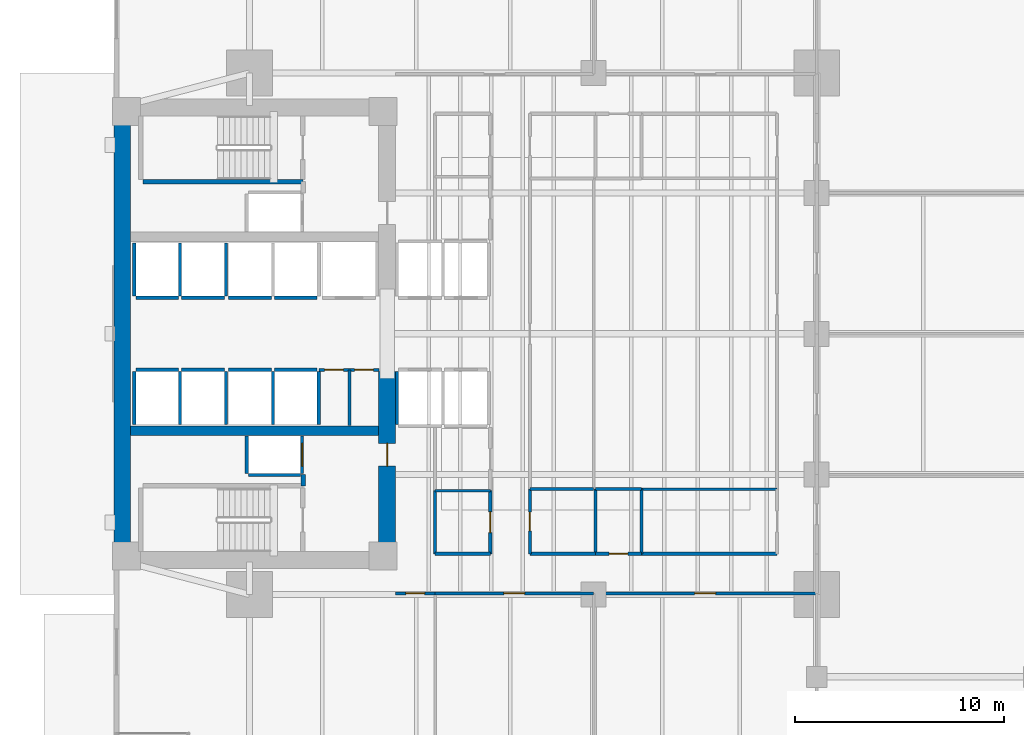
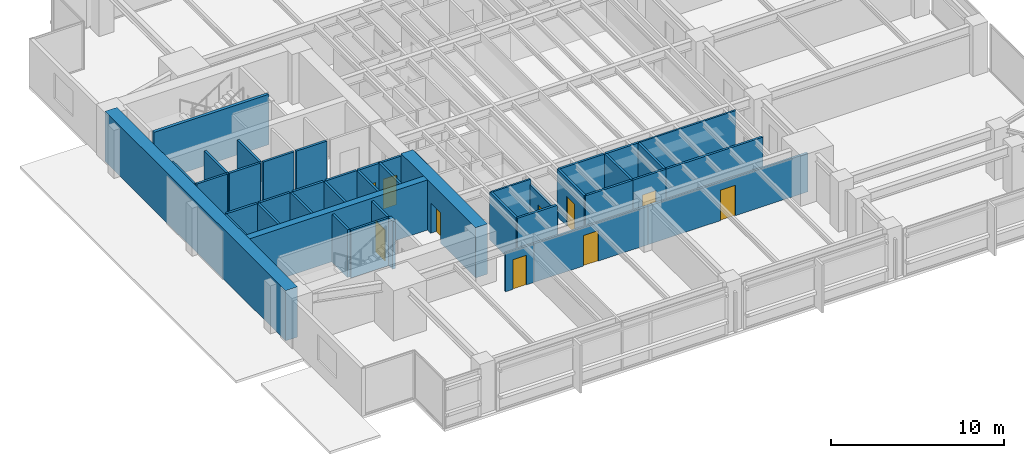
# One storey, part 9 of 16: 43 walls, 10 doors, 10 openings.
"""IFC4 building model written with IfcOpenShell, lengths in metres."""

import ifcopenshell
import ifcopenshell.guid

model = None  # the IFC model being written
_history = None  # IfcOwnerHistory: only IFC2X3 demands one
_inside = {}  # id of a spatial element -> (the spatial element, [elements in it])
_under = {}  # id of a project, library or spatial element -> (it, [spatial elements below it])
_declared = {}  # id of a project -> (the project, [libraries it declares])
_typed = {}  # id of a type object -> (the type object, [elements of that type])
_made_of = {}  # id of a material, layer set ... -> (it, [elements and type objects made of it])


def new_model(schema):
    """Start an empty IFC model of exactly this schema.

    Asked for "IFC4X3", IfcOpenShell would pick the latest addendum, in which some entities
    have other attributes; the version numbers below select the first issue.
    IFC2X3 requires an IfcOwnerHistory on every rooted entity: one is made here for all.
    """
    global model, _history
    if schema == "IFC4X3":
        model = ifcopenshell.file(schema_version=(4, 3, 0, 0))
    else:
        model = ifcopenshell.file(schema=schema)
    _inside.clear()
    _under.clear()
    _declared.clear()
    _typed.clear()
    _made_of.clear()
    _history = None
    if model.schema == "IFC2X3":
        org = make("IfcOrganization", Name="unknown")
        user = make(
            "IfcPersonAndOrganization",
            ThePerson=make("IfcPerson", FamilyName="unknown"),
            TheOrganization=org,
        )
        app = make(
            "IfcApplication",
            ApplicationDeveloper=org,
            Version="unknown",
            ApplicationFullName="unknown",
            ApplicationIdentifier="unknown",
        )
        _history = make(
            "IfcOwnerHistory",
            OwningUser=user,
            OwningApplication=app,
            ChangeAction="ADDED",
            CreationDate=0,
        )
    return model


def make(cls, **values):
    """One entity of the class cls with the attributes given. An attribute that is None is left unset."""
    return model.create_entity(
        cls, **{name: value for name, value in values.items() if value is not None}
    )


def rooted(cls, **values):
    """An entity with a GlobalId (a new one), such as an element, a storey or a relation."""
    return make(cls, GlobalId=ifcopenshell.guid.new(), OwnerHistory=_history, **values)


def si_unit(unit_type, name, prefix=None):
    """IfcSIUnit, for example si_unit("LENGTHUNIT", "METRE", prefix="MILLI")."""
    return make("IfcSIUnit", UnitType=unit_type, Prefix=prefix, Name=name)


def assignment(units):
    """IfcUnitAssignment: the units of a project."""
    return None if units is None else make("IfcUnitAssignment", Units=units)


def point(xyz):
    """IfcCartesianPoint."""
    return None if xyz is None else make("IfcCartesianPoint", Coordinates=xyz)


def direction(xyz):
    """IfcDirection."""
    return None if xyz is None else make("IfcDirection", DirectionRatios=xyz)


def frame(location, z_axis=None, x_axis=None):
    """IfcAxis2Placement3D, a coordinate frame: its origin and axes. An axis left out is left unset."""
    return make(
        "IfcAxis2Placement3D",
        Location=point(location),
        Axis=direction(z_axis),
        RefDirection=direction(x_axis),
    )


def frame_2d(location, x_axis=None):
    """IfcAxis2Placement2D, a coordinate frame in the plane: its origin and x axis."""
    return make(
        "IfcAxis2Placement2D", Location=point(location), RefDirection=direction(x_axis)
    )


def origin():
    """The frame at (0, 0, 0) with its axes left unset."""
    return frame((0.0, 0.0, 0.0))


def place(relative_to, where):
    """IfcLocalPlacement: puts the frame where relative to a parent placement (None: the world)."""
    return make(
        "IfcLocalPlacement", PlacementRelTo=relative_to, RelativePlacement=where
    )


def context(
    kind, dimensions, precision=None, world=None, true_north=None, identifier=None
):
    """IfcGeometricRepresentationContext, for example the 3D "Model" context."""
    return make(
        "IfcGeometricRepresentationContext",
        ContextIdentifier=identifier,
        ContextType=kind,
        CoordinateSpaceDimension=dimensions,
        Precision=precision,
        WorldCoordinateSystem=world,
        TrueNorth=true_north,
    )


def subcontext(parent, identifier, kind, view, scale=None):
    """IfcGeometricRepresentationSubContext, for example "Body" below "Model"."""
    return make(
        "IfcGeometricRepresentationSubContext",
        ContextIdentifier=identifier,
        ContextType=kind,
        ParentContext=parent,
        TargetScale=scale,
        TargetView=view,
    )


def project(units=None, contexts=None):
    """IfcProject with its units and contexts."""
    return rooted(
        "IfcProject",
        Name="project",
        RepresentationContexts=contexts,
        UnitsInContext=assignment(units),
    )


def spatial(cls, under=None, at=None, **own):
    """A site, building, storey or space (cls), placed at a placement, below another one or the project."""
    s = rooted(cls, ObjectPlacement=at, **own)
    if under is not None:
        _under.setdefault(under.id(), (under, []))[1].append(s)
    return s


def profile(cls, at=None, kind="AREA", **sizes):
    """A parametric profile (cls). Its sizes go by their IFC names, for example OverallWidth=200.0."""
    return make(cls, ProfileType=kind, Position=at, **sizes)


def rectangle(**sizes):
    """IfcRectangleProfileDef."""
    return profile("IfcRectangleProfileDef", **sizes)


def extrude(swept, where, along, depth):
    """IfcExtrudedAreaSolid: the profile swept, set in the frame where, extruded along a direction by depth."""
    return make(
        "IfcExtrudedAreaSolid",
        SweptArea=swept,
        Position=where,
        ExtrudedDirection=direction(along),
        Depth=depth,
    )


def shape(context_of_items, identifier, shape_type, items):
    """IfcShapeRepresentation: the items that make up one representation, for example the "Body"."""
    return make(
        "IfcShapeRepresentation",
        ContextOfItems=context_of_items,
        RepresentationIdentifier=identifier,
        RepresentationType=shape_type,
        Items=items,
    )


def material(Name=None, Category=None):
    """IfcMaterial."""
    return make("IfcMaterial", Name=Name, Category=Category)


def layer(
    of_material, thickness, ventilated=None, Name=None, Category=None, Priority=None
):
    """IfcMaterialLayer: one layer of a wall or slab, of a material (None: an air gap)."""
    return make(
        "IfcMaterialLayer",
        Material=of_material,
        LayerThickness=thickness,
        IsVentilated=ventilated,
        Name=Name,
        Category=Category,
        Priority=Priority,
    )


def layer_set(layers, Name=None):
    """IfcMaterialLayerSet."""
    return make("IfcMaterialLayerSet", MaterialLayers=layers, LayerSetName=Name)


def made_of(thing, what):
    """Note that an element or type object is made of a material, layer set ...; save() writes the relation."""
    if what is not None:
        _made_of.setdefault(what.id(), (what, []))[1].append(thing)
    return thing


def type_object(cls, material=None, **own):
    """A type object (cls), such as IfcWallType, which elements share."""
    return made_of(rooted(cls, **own), material)


def element(
    cls,
    number,
    at=None,
    inside=None,
    cuts=None,
    type_object=None,
    material=None,
    context=None,
    identifier="Body",
    shape_type=None,
    held_by="IfcProductDefinitionShape",
    body=None,
    shapes=None,
    **own,
):
    """One element of the class cls, such as IfcWall. Its Tag is "e" and its number.

    at: its placement. inside: the storey or other place that contains it. cuts: it is an
    opening in that element (IfcRelVoidsElement). A single representation is given by context,
    identifier, shape_type and body (its items); several are given by shapes. held_by: the class
    of the entity that holds the representations. save() writes the other relations.
    """
    e = rooted(cls, Tag="e%d" % number, ObjectPlacement=at, **own)
    if body is not None:
        shapes = [shape(context, identifier, shape_type, body)]
    if shapes is not None:
        e.Representation = make(held_by, Representations=shapes)
    if inside is not None:
        _inside.setdefault(inside.id(), (inside, []))[1].append(e)
    if cuts is not None:
        rooted(
            "IfcRelVoidsElement", RelatingBuildingElement=cuts, RelatedOpeningElement=e
        )
    if type_object is not None:
        _typed.setdefault(type_object.id(), (type_object, []))[1].append(e)
    return made_of(e, material)


def fill(opening, filler):
    """IfcRelFillsElement: the door or window that sits in an opening."""
    return rooted(
        "IfcRelFillsElement",
        RelatingOpeningElement=opening,
        RelatedBuildingElement=filler,
    )


def aggregate(whole, parts):
    """IfcRelAggregates: a whole, such as a stair, and the parts it consists of."""
    return rooted("IfcRelAggregates", RelatingObject=whole, RelatedObjects=parts)


def save(model, path):
    """Write the relations noted so far, then the file.

    IfcRelAggregates (storeys below a building ...), IfcRelContainedInSpatialStructure (elements
    in a storey), IfcRelDefinesByType, IfcRelAssociatesMaterial and IfcRelDeclares: one each for
    every whole, place, type object, material and project.
    """
    for whole, parts in _under.values():
        aggregate(whole, parts)
    for where, things in _inside.values():
        rooted(
            "IfcRelContainedInSpatialStructure",
            RelatedElements=things,
            RelatingStructure=where,
        )
    for kind, things in _typed.values():
        rooted("IfcRelDefinesByType", RelatedObjects=things, RelatingType=kind)
    for what, things in _made_of.values():
        rooted("IfcRelAssociatesMaterial", RelatedObjects=things, RelatingMaterial=what)
    for by, libraries in _declared.values():
        rooted("IfcRelDeclares", RelatingContext=by, RelatedDefinitions=libraries)
    model.write(path)


model = new_model("IFC4")

# Units and contexts
model_context = context("Model", 3, precision=1e-05, world=origin(), true_north=direction((0.0, 1.0)))
body_context = subcontext(model_context, "Body", "Model", "MODEL_VIEW")
ifc_project = project(units=[si_unit("LENGTHUNIT", "METRE"), si_unit("AREAUNIT", "SQUARE_METRE"), si_unit("VOLUMEUNIT", "CUBIC_METRE"), si_unit("PLANEANGLEUNIT", "RADIAN"), si_unit("MASSUNIT", "GRAM", prefix="KILO")], contexts=[model_context])

# Site, building, storey
site_placement = place(None, origin())
site = spatial("IfcSite", under=ifc_project, at=site_placement, CompositionType="ELEMENT")
building_placement = place(site_placement, origin())
building = spatial("IfcBuilding", under=site, at=building_placement, Name="Kinhvarn Gate Tower", CompositionType="ELEMENT")
storey_placement = place(building_placement, frame((0.0, 0.0, 25.60009765625)))
storey = spatial("IfcBuildingStorey", under=building, at=storey_placement, Name="L05", CompositionType="ELEMENT", Elevation=25.60009765625)

# Wall
ifc_material_1 = material(Name="Concrete C50/60", Category="concrete")
ifc_layer_1 = layer(ifc_material_1, 0.449951171875)
ifc_layer_set_1 = layer_set([ifc_layer_1], Name="Concrete C50/60")
wall_type_1 = type_object("IfcWallType", Name="WL-CORE-450", PredefinedType="SHEAR", material=ifc_layer_set_1)
wall_1_placement = place(storey_placement, frame((5.300048828125, 20.60009765625, 0.0), z_axis=(0.0, 0.0, 1.0), x_axis=(1.0, 0.0, 0.0)))
element("IfcWall", 1, at=wall_1_placement, inside=storey, type_object=wall_type_1, Name="Core South Spine Shear Wall L05 450 mm", PredefinedType="SHEAR", context=body_context, shape_type="SweptSolid", body=[
    extrude(rectangle(XDim=11.89990234375, YDim=0.449951171875, at=frame_2d((5.949951171875, 0.0))), origin(), (0.0, 0.0, 1.0), 3.5498046875),
])

# Wall, opening, door
ifc_material_2 = material(Name="Concrete C70/85", Category="concrete")
ifc_layer_2 = layer(ifc_material_2, 0.800048828125)
ifc_layer_set_2 = layer_set([ifc_layer_2], Name="Concrete C70/85")
wall_type_2 = type_object("IfcWallType", Name="WL-CORE-800", PredefinedType="SHEAR", material=ifc_layer_set_2)
wall_2_placement = place(storey_placement, frame((17.60009765625, 14.800048828125, 0.0), z_axis=(0.0, 0.0, 1.0), x_axis=(0.0, 1.0, 0.0)))
wall_2 = element("IfcWall", 2, at=wall_2_placement, inside=storey, type_object=wall_type_2, Name="Core East-South Shear Pier L05 800 mm", PredefinedType="SHEAR", context=body_context, shape_type="SweptSolid", body=[
    extrude(rectangle(XDim=8.64990234375, YDim=0.800048828125, at=frame_2d((4.324951171875, 0.0))), origin(), (0.0, 0.0, 1.0), 3.5498046875),
])
opening_1_placement = place(wall_2_placement, frame((4.10009765625, 0.0, 0.0)))
opening_1 = element("IfcOpeningElement", 3, at=opening_1_placement, cuts=wall_2, Name="Opening FD-02", PredefinedType="OPENING", context=body_context, shape_type="SweptSolid", body=[
    extrude(rectangle(XDim=1.10009765625, YDim=2.14990234375, at=frame_2d((0.550048828125, 1.074951171875))), frame((0.0, 0.41015625, 0.0), z_axis=(0.0, -1.0, 0.0), x_axis=(1.0, 0.0, 0.0)), (0.0, 0.0, 1.0), 0.820068359375),
])
ifc_material_3 = material(Name="Anodised aluminium AW-6063", Category="aluminium")
door_type_1 = type_object("IfcDoorType", Name="DR-FD-1100", OperationType="NOTDEFINED", PredefinedType="DOOR", material=ifc_material_3)
door_1_placement = place(opening_1_placement, origin())
door_1 = element("IfcDoor", 4, at=door_1_placement, inside=storey, type_object=door_type_1, Name="Firefighting Lobby Core Door (L05)", OperationType="SINGLE_SWING_RIGHT", OverallHeight=2.14990234375, OverallWidth=1.10009765625, PredefinedType="DOOR", context=body_context, shape_type="SweptSolid", body=[
    extrude(rectangle(XDim=1.10009765625, YDim=2.14990234375, at=frame_2d((0.550048828125, 1.074951171875))), frame((0.0, 0.02490234375, 0.0), z_axis=(0.0, -1.0, 0.0), x_axis=(1.0, 0.0, 0.0)), (0.0, 0.0, 1.0), 0.050048828125),
])
fill(opening_1, door_1)

# Walls
ifc_layer_3 = layer(ifc_material_2, 0.800048828125)
ifc_layer_set_3 = layer_set([ifc_layer_3], Name="Concrete C70/85")
wall_type_3 = type_object("IfcWallType", Name="WL-COREX-800", PredefinedType="SHEAR", material=ifc_layer_set_3)
wall_3_placement = place(storey_placement, frame((4.89990234375, 14.800048828125, 0.0), z_axis=(0.0, 0.0, 1.0), x_axis=(0.0, 1.0, 0.0)))
element("IfcWall", 5, at=wall_3_placement, inside=storey, type_object=wall_type_3, Name="Core West Shear Wall L05 800 mm", PredefinedType="SHEAR", context=body_context, shape_type="SweptSolid", body=[
    extrude(rectangle(XDim=20.89990234375, YDim=0.800048828125, at=frame_2d((10.449951171875, 0.0))), origin(), (0.0, 0.0, 1.0), 3.5498046875),
])
ifc_material_4 = material(Name="Gypsum acoustic partition board")
ifc_layer_4 = layer(ifc_material_4, 0.14990234375)
ifc_layer_set_4 = layer_set([ifc_layer_4], Name="Gypsum acoustic partition board")
wall_type_4 = type_object("IfcWallType", Name="WL-PLM-150", PredefinedType="PLUMBINGWALL", material=ifc_layer_set_4)
wall_4_placement = place(storey_placement, frame((27.60009765625, 14.699951171875, 0.0), z_axis=(0.0, 0.0, 1.0), x_axis=(0.0, 1.0, 0.0)))
element("IfcWall", 6, at=wall_4_placement, inside=storey, type_object=wall_type_4, Name="Interior Partition PLW-150 (L05)", PredefinedType="PLUMBINGWALL", context=body_context, shape_type="SweptSolid", body=[
    extrude(rectangle(XDim=3.10009765625, YDim=0.14990234375, at=frame_2d((1.550048828125, 0.0))), origin(), (0.0, 0.0, 1.0), 3.369873046875),
])
wall_5_placement = place(storey_placement, frame((24.449951171875, 17.800048828125, 0.0), z_axis=(0.0, 0.0, 1.0), x_axis=(1.0, 0.0, 0.0)))
element("IfcWall", 7, at=wall_5_placement, inside=storey, type_object=wall_type_4, Name="Interior Partition PLW-150 (L05)", PredefinedType="PLUMBINGWALL", context=body_context, shape_type="SweptSolid", body=[
    extrude(rectangle(XDim=3.050048828125, YDim=0.14990234375, at=frame_2d((1.52490234375, 0.0))), origin(), (0.0, 0.0, 1.0), 3.369873046875),
])
wall_6_placement = place(storey_placement, frame((29.800048828125, 14.699951171875, 0.0), z_axis=(0.0, 0.0, 1.0), x_axis=(0.0, 1.0, 0.0)))
element("IfcWall", 8, at=wall_6_placement, inside=storey, type_object=wall_type_4, Name="Interior Partition PLW-150 (L05)", PredefinedType="PLUMBINGWALL", context=body_context, shape_type="SweptSolid", body=[
    extrude(rectangle(XDim=3.10009765625, YDim=0.14990234375, at=frame_2d((1.550048828125, 0.0))), origin(), (0.0, 0.0, 1.0), 3.369873046875),
])
wall_7_placement = place(storey_placement, frame((27.60009765625, 17.800048828125, 0.0), z_axis=(0.0, 0.0, 1.0), x_axis=(1.0, 0.0, 0.0)))
element("IfcWall", 9, at=wall_7_placement, inside=storey, type_object=wall_type_4, Name="Interior Partition PLW-150 (L05)", PredefinedType="PLUMBINGWALL", context=body_context, shape_type="SweptSolid", body=[
    extrude(rectangle(XDim=2.199951171875, YDim=0.14990234375, at=frame_2d((1.10009765625, 0.0))), origin(), (0.0, 0.0, 1.0), 3.369873046875),
])

# Wall, opening, door
ifc_layer_5 = layer(ifc_material_4, 0.14990234375)
ifc_layer_set_5 = layer_set([ifc_layer_5], Name="Gypsum acoustic partition board")
wall_type_5 = type_object("IfcWallType", Name="WL-PLM-150F", PredefinedType="PLUMBINGWALL", material=ifc_layer_set_5)
wall_8_placement = place(storey_placement, frame((24.449951171875, 14.699951171875, 0.0), z_axis=(0.0, 0.0, 1.0), x_axis=(0.0, 1.0, 0.0)))
wall_8 = element("IfcWall", 10, at=wall_8_placement, inside=storey, type_object=wall_type_5, Name="Interior Partition PLW-150F (L05)", PredefinedType="PLUMBINGWALL", context=body_context, shape_type="SweptSolid", body=[
    extrude(rectangle(XDim=3.10009765625, YDim=0.14990234375, at=frame_2d((1.550048828125, 0.0))), origin(), (0.0, 0.0, 1.0), 3.369873046875),
])
opening_2_placement = place(wall_8_placement, frame((1.10009765625, 0.0, 0.0)))
opening_2 = element("IfcOpeningElement", 11, at=opening_2_placement, cuts=wall_8, Name="Opening FD-04", PredefinedType="OPENING", context=body_context, shape_type="SweptSolid", body=[
    extrude(rectangle(XDim=0.89990234375, YDim=2.10009765625, at=frame_2d((0.449951171875, 1.050048828125))), frame((0.0, 0.0849609375, 0.0), z_axis=(0.0, -1.0, 0.0), x_axis=(1.0, 0.0, 0.0)), (0.0, 0.0, 1.0), 0.169921875),
])
door_type_2 = type_object("IfcDoorType", Name="DR-FD-900", OperationType="NOTDEFINED", PredefinedType="DOOR", material=ifc_material_3)
door_2_placement = place(opening_2_placement, origin())
door_2 = element("IfcDoor", 12, at=door_2_placement, inside=storey, type_object=door_type_2, Name="Rated Riser & Service Closet Fire Door 900x2100 mm (L05)", OperationType="SINGLE_SWING_LEFT", OverallHeight=2.10009765625, OverallWidth=0.89990234375, PredefinedType="DOOR", context=body_context, shape_type="SweptSolid", body=[
    extrude(rectangle(XDim=0.89990234375, YDim=2.10009765625, at=frame_2d((0.449951171875, 1.050048828125))), frame((0.0, 0.02490234375, 0.0), z_axis=(0.0, -1.0, 0.0), x_axis=(1.0, 0.0, 0.0)), (0.0, 0.0, 1.0), 0.050048828125),
])
fill(opening_2, door_2)

# Wall
wall_9_placement = place(storey_placement, frame((24.449951171875, 14.699951171875, 0.0), z_axis=(0.0, 0.0, 1.0), x_axis=(1.0, 0.0, 0.0)))
element("IfcWall", 13, at=wall_9_placement, inside=storey, type_object=wall_type_5, Name="Interior Partition PLW-150F (L05)", PredefinedType="PLUMBINGWALL", context=body_context, shape_type="SweptSolid", body=[
    extrude(rectangle(XDim=3.150146484375, YDim=0.14990234375, at=frame_2d((1.5751953125, 0.0))), origin(), (0.0, 0.0, 1.0), 3.369873046875),
])

# Wall, opening, door
wall_10_placement = place(storey_placement, frame((27.60009765625, 14.699951171875, 0.0), z_axis=(0.0, 0.0, 1.0), x_axis=(1.0, 0.0, 0.0)))
wall_10 = element("IfcWall", 14, at=wall_10_placement, inside=storey, type_object=wall_type_5, Name="Interior Partition PLW-150F (L05)", PredefinedType="PLUMBINGWALL", context=body_context, shape_type="SweptSolid", body=[
    extrude(rectangle(XDim=2.199951171875, YDim=0.14990234375, at=frame_2d((1.10009765625, 0.0))), origin(), (0.0, 0.0, 1.0), 3.369873046875),
])
opening_3_placement = place(wall_10_placement, frame((0.64990234375, 0.0, 0.0)))
opening_3 = element("IfcOpeningElement", 15, at=opening_3_placement, cuts=wall_10, Name="Opening FD-04", PredefinedType="OPENING", context=body_context, shape_type="SweptSolid", body=[
    extrude(rectangle(XDim=0.89990234375, YDim=2.10009765625, at=frame_2d((0.449951171875, 1.050048828125))), frame((0.0, 0.0849609375, 0.0), z_axis=(0.0, -1.0, 0.0), x_axis=(1.0, 0.0, 0.0)), (0.0, 0.0, 1.0), 0.169921875),
])
door_3_placement = place(opening_3_placement, origin())
door_3 = element("IfcDoor", 16, at=door_3_placement, inside=storey, type_object=door_type_2, Name="Rated Riser & Service Closet Fire Door 900x2100 mm (L05)", OperationType="SINGLE_SWING_RIGHT", OverallHeight=2.10009765625, OverallWidth=0.89990234375, PredefinedType="DOOR", context=body_context, shape_type="SweptSolid", body=[
    extrude(rectangle(XDim=0.89990234375, YDim=2.10009765625, at=frame_2d((0.449951171875, 1.050048828125))), frame((0.0, 0.02490234375, 0.0), z_axis=(0.0, -1.0, 0.0), x_axis=(1.0, 0.0, 0.0)), (0.0, 0.0, 1.0), 0.050048828125),
])
fill(opening_3, door_3)

# Walls
ifc_layer_6 = layer(ifc_material_4, 0.1201171875)
ifc_layer_set_6 = layer_set([ifc_layer_6], Name="Gypsum acoustic partition board")
wall_type_6 = type_object("IfcWallType", Name="WL-PRT-120", PredefinedType="PARTITIONING", material=ifc_layer_set_6)
wall_11_placement = place(storey_placement, frame((19.89990234375, 17.72998046875, 0.0), z_axis=(0.0, 0.0, 1.0), x_axis=(1.0, 0.0, 0.0)))
element("IfcWall", 17, at=wall_11_placement, inside=storey, type_object=wall_type_6, Name="Interior Partition PW-120 (L05)", PredefinedType="PARTITIONING", context=body_context, shape_type="SweptSolid", body=[
    extrude(rectangle(XDim=2.650146484375, YDim=0.1201171875, at=frame_2d((1.3251953125, 0.0))), origin(), (0.0, 0.0, 1.0), 3.369873046875),
])
wall_12_placement = place(storey_placement, frame((29.800048828125, 17.800048828125, 0.0), z_axis=(0.0, 0.0, 1.0), x_axis=(1.0, 0.0, 0.0)))
element("IfcWall", 18, at=wall_12_placement, inside=storey, type_object=wall_type_6, Name="Interior Partition PW-120 (L05)", PredefinedType="PARTITIONING", context=body_context, shape_type="SweptSolid", body=[
    extrude(rectangle(XDim=6.5, YDim=0.1201171875, at=frame_2d((3.25, 0.0))), origin(), (0.0, 0.0, 1.0), 3.369873046875),
])
ifc_layer_7 = layer(ifc_material_4, 0.14990234375)
ifc_layer_set_7 = layer_set([ifc_layer_7], Name="Gypsum acoustic partition board")
wall_type_7 = type_object("IfcWallType", Name="WL-PRT-150F", PredefinedType="PARTITIONING", material=ifc_layer_set_7)
wall_13_placement = place(storey_placement, frame((15.800048828125, 20.85009765625, 0.0), z_axis=(0.0, 0.0, 1.0), x_axis=(0.0, 1.0, 0.0)))
element("IfcWall", 19, at=wall_13_placement, inside=storey, type_object=wall_type_7, Name="Interior Partition PW-150F (L05)", PredefinedType="PARTITIONING", context=body_context, shape_type="SweptSolid", body=[
    extrude(rectangle(XDim=2.669921875, YDim=0.14990234375, at=frame_2d((1.3349609375, 0.0))), origin(), (0.0, 0.0, 1.0), 3.369873046875),
])

# Wall, openings, doors
wall_14_placement = place(storey_placement, frame((14.330078125, 23.52001953125, 0.0), z_axis=(0.0, 0.0, 1.0), x_axis=(1.0, 0.0, 0.0)))
wall_14 = element("IfcWall", 20, at=wall_14_placement, inside=storey, type_object=wall_type_7, Name="Interior Partition PW-150F (L05)", PredefinedType="PARTITIONING", context=body_context, shape_type="SweptSolid", body=[
    extrude(rectangle(XDim=2.889892578125, YDim=0.14990234375, at=frame_2d((1.44482421875, 0.0))), origin(), (0.0, 0.0, 1.0), 3.369873046875),
])
opening_4_placement = place(wall_14_placement, frame((0.280029296875, 0.0, 0.0)))
opening_4 = element("IfcOpeningElement", 21, at=opening_4_placement, cuts=wall_14, Name="Opening FD-04", PredefinedType="OPENING", context=body_context, shape_type="SweptSolid", body=[
    extrude(rectangle(XDim=0.89990234375, YDim=2.10009765625, at=frame_2d((0.449951171875, 1.050048828125))), frame((0.0, 0.0849609375, 0.0), z_axis=(0.0, -1.0, 0.0), x_axis=(1.0, 0.0, 0.0)), (0.0, 0.0, 1.0), 0.169921875),
])
opening_5_placement = place(wall_14_placement, frame((1.7099609375, 0.0, 0.0)))
opening_5 = element("IfcOpeningElement", 22, at=opening_5_placement, cuts=wall_14, Name="Opening FD-04", PredefinedType="OPENING", context=body_context, shape_type="SweptSolid", body=[
    extrude(rectangle(XDim=0.89990234375, YDim=2.10009765625, at=frame_2d((0.449951171875, 1.050048828125))), frame((0.0, 0.0849609375, 0.0), z_axis=(0.0, -1.0, 0.0), x_axis=(1.0, 0.0, 0.0)), (0.0, 0.0, 1.0), 0.169921875),
])
door_4_placement = place(opening_4_placement, origin())
door_4 = element("IfcDoor", 23, at=door_4_placement, inside=storey, type_object=door_type_2, Name="Rated Riser & Service Closet Fire Door 900x2100 mm (L05)", OperationType="SINGLE_SWING_LEFT", OverallHeight=2.10009765625, OverallWidth=0.89990234375, PredefinedType="DOOR", context=body_context, shape_type="SweptSolid", body=[
    extrude(rectangle(XDim=0.89990234375, YDim=2.10009765625, at=frame_2d((0.449951171875, 1.050048828125))), frame((0.0, 0.02490234375, 0.0), z_axis=(0.0, -1.0, 0.0), x_axis=(1.0, 0.0, 0.0)), (0.0, 0.0, 1.0), 0.050048828125),
])
fill(opening_4, door_4)
door_5_placement = place(opening_5_placement, origin())
door_5 = element("IfcDoor", 24, at=door_5_placement, inside=storey, type_object=door_type_2, Name="Rated Riser & Service Closet Fire Door 900x2100 mm (L05)", OperationType="SINGLE_SWING_RIGHT", OverallHeight=2.10009765625, OverallWidth=0.89990234375, PredefinedType="DOOR", context=body_context, shape_type="SweptSolid", body=[
    extrude(rectangle(XDim=0.89990234375, YDim=2.10009765625, at=frame_2d((0.449951171875, 1.050048828125))), frame((0.0, 0.02490234375, 0.0), z_axis=(0.0, -1.0, 0.0), x_axis=(1.0, 0.0, 0.0)), (0.0, 0.0, 1.0), 0.050048828125),
])
fill(opening_5, door_5)

# Wall, opening, door
wall_15_placement = place(storey_placement, frame((22.550048828125, 14.699951171875, 0.0), z_axis=(0.0, 0.0, 1.0), x_axis=(0.0, 1.0, 0.0)))
wall_15 = element("IfcWall", 25, at=wall_15_placement, inside=storey, type_object=wall_type_7, Name="Interior Partition PW-150F (L05)", PredefinedType="PARTITIONING", context=body_context, shape_type="SweptSolid", body=[
    extrude(rectangle(XDim=3.030029296875, YDim=0.14990234375, at=frame_2d((1.51513671875, 0.0))), origin(), (0.0, 0.0, 1.0), 3.010009765625),
])
opening_6_placement = place(wall_15_placement, frame((1.014892578125, 0.0, 0.0)))
opening_6 = element("IfcOpeningElement", 26, at=opening_6_placement, cuts=wall_15, Name="Opening ID-02", PredefinedType="OPENING", context=body_context, shape_type="SweptSolid", body=[
    extrude(rectangle(XDim=1.0, YDim=2.14990234375, at=frame_2d((0.5, 1.074951171875))), frame((0.0, 0.0849609375, 0.0), z_axis=(0.0, -1.0, 0.0), x_axis=(1.0, 0.0, 0.0)), (0.0, 0.0, 1.0), 0.169921875),
])
door_type_3 = type_object("IfcDoorType", Name="DR-INT-1000", OperationType="NOTDEFINED", PredefinedType="DOOR", material=ifc_material_3)
door_6_placement = place(opening_6_placement, origin())
door_6 = element("IfcDoor", 27, at=door_6_placement, inside=storey, type_object=door_type_3, Name="Standard Office & Meeting Room Door 1000x2150 mm (L05)", OperationType="SINGLE_SWING_LEFT", OverallHeight=2.14990234375, OverallWidth=1.0, PredefinedType="DOOR", context=body_context, shape_type="SweptSolid", body=[
    extrude(rectangle(XDim=1.0, YDim=2.14990234375, at=frame_2d((0.5, 1.074951171875))), frame((0.0, 0.02490234375, 0.0), z_axis=(0.0, -1.0, 0.0), x_axis=(1.0, 0.0, 0.0)), (0.0, 0.0, 1.0), 0.050048828125),
])
fill(opening_6, door_6)

# Walls
wall_16_placement = place(storey_placement, frame((19.89990234375, 14.699951171875, 0.0), z_axis=(0.0, 0.0, 1.0), x_axis=(0.0, 1.0, 0.0)))
element("IfcWall", 28, at=wall_16_placement, inside=storey, type_object=wall_type_7, Name="Interior Partition PW-150F (L05)", PredefinedType="PARTITIONING", context=body_context, shape_type="SweptSolid", body=[
    extrude(rectangle(XDim=3.030029296875, YDim=0.14990234375, at=frame_2d((1.51513671875, 0.0))), origin(), (0.0, 0.0, 1.0), 3.369873046875),
])
wall_17_placement = place(storey_placement, frame((19.89990234375, 14.699951171875, 0.0), z_axis=(0.0, 0.0, 1.0), x_axis=(1.0, 0.0, 0.0)))
element("IfcWall", 29, at=wall_17_placement, inside=storey, type_object=wall_type_7, Name="Interior Partition PW-150F (L05)", PredefinedType="PARTITIONING", context=body_context, shape_type="SweptSolid", body=[
    extrude(rectangle(XDim=2.650146484375, YDim=0.14990234375, at=frame_2d((1.3251953125, 0.0))), origin(), (0.0, 0.0, 1.0), 3.369873046875),
])
wall_18_placement = place(storey_placement, frame((29.800048828125, 14.699951171875, 0.0), z_axis=(0.0, 0.0, 1.0), x_axis=(1.0, 0.0, 0.0)))
element("IfcWall", 30, at=wall_18_placement, inside=storey, type_object=wall_type_7, Name="Interior Partition PW-150F (L05)", PredefinedType="PARTITIONING", context=body_context, shape_type="SweptSolid", body=[
    extrude(rectangle(XDim=6.5, YDim=0.14990234375, at=frame_2d((3.25, 0.0))), origin(), (0.0, 0.0, 1.0), 3.369873046875),
])

# Wall, opening, door
wall_19_placement = place(storey_placement, frame((18.0, 12.800048828125, 0.0), z_axis=(0.0, 0.0, 1.0), x_axis=(1.0, 0.0, 0.0)))
wall_19 = element("IfcWall", 31, at=wall_19_placement, inside=storey, type_object=wall_type_7, Name="Interior Partition PW-150F (L05)", PredefinedType="PARTITIONING", context=body_context, shape_type="SweptSolid", body=[
    extrude(rectangle(XDim=1.89990234375, YDim=0.14990234375, at=frame_2d((0.949951171875, 0.0))), origin(), (0.0, 0.0, 1.0), 2.719970703125),
])
opening_7_placement = place(wall_19_placement, frame((0.5, 0.0, 0.0)))
opening_7 = element("IfcOpeningElement", 32, at=opening_7_placement, cuts=wall_19, Name="Opening ID-03", PredefinedType="OPENING", context=body_context, shape_type="SweptSolid", body=[
    extrude(rectangle(XDim=0.89990234375, YDim=2.10009765625, at=frame_2d((0.449951171875, 1.050048828125))), frame((0.0, 0.0849609375, 0.0), z_axis=(0.0, -1.0, 0.0), x_axis=(1.0, 0.0, 0.0)), (0.0, 0.0, 1.0), 0.169921875),
])
door_type_4 = type_object("IfcDoorType", Name="DR-INT-900", OperationType="NOTDEFINED", PredefinedType="DOOR", material=ifc_material_3)
door_7_placement = place(opening_7_placement, origin())
door_7 = element("IfcDoor", 33, at=door_7_placement, inside=storey, type_object=door_type_4, Name="Cellular Office & Restroom Door 900x2100 mm (L05)", OperationType="SINGLE_SWING_LEFT", OverallHeight=2.10009765625, OverallWidth=0.89990234375, PredefinedType="DOOR", context=body_context, shape_type="SweptSolid", body=[
    extrude(rectangle(XDim=0.89990234375, YDim=2.10009765625, at=frame_2d((0.449951171875, 1.050048828125))), frame((0.0, 0.02490234375, 0.0), z_axis=(0.0, -1.0, 0.0), x_axis=(1.0, 0.0, 0.0)), (0.0, 0.0, 1.0), 0.050048828125),
])
fill(opening_7, door_7)

wall_20_placement = place(storey_placement, frame((19.89990234375, 12.800048828125, 0.0), z_axis=(0.0, 0.0, 1.0), x_axis=(1.0, 0.0, 0.0)))
wall_20 = element("IfcWall", 34, at=wall_20_placement, inside=storey, type_object=wall_type_7, Name="Interior Partition PW-150F (L05)", PredefinedType="PARTITIONING", context=body_context, shape_type="SweptSolid", body=[
    extrude(rectangle(XDim=7.60009765625, YDim=0.14990234375, at=frame_2d((3.800048828125, 0.0))), origin(), (0.0, 0.0, 1.0), 2.719970703125),
])
opening_8_placement = place(wall_20_placement, frame((3.300048828125, 0.0, 0.0)))
opening_8 = element("IfcOpeningElement", 35, at=opening_8_placement, cuts=wall_20, Name="Opening ID-02", PredefinedType="OPENING", context=body_context, shape_type="SweptSolid", body=[
    extrude(rectangle(XDim=1.0, YDim=2.14990234375, at=frame_2d((0.5, 1.074951171875))), frame((0.0, 0.0849609375, 0.0), z_axis=(0.0, -1.0, 0.0), x_axis=(1.0, 0.0, 0.0)), (0.0, 0.0, 1.0), 0.169921875),
])
door_8_placement = place(opening_8_placement, origin())
door_8 = element("IfcDoor", 36, at=door_8_placement, inside=storey, type_object=door_type_3, Name="Standard Office & Meeting Room Door 1000x2150 mm (L05)", OperationType="SINGLE_SWING_RIGHT", OverallHeight=2.14990234375, OverallWidth=1.0, PredefinedType="DOOR", context=body_context, shape_type="SweptSolid", body=[
    extrude(rectangle(XDim=1.0, YDim=2.14990234375, at=frame_2d((0.5, 1.074951171875))), frame((0.0, 0.02490234375, 0.0), z_axis=(0.0, -1.0, 0.0), x_axis=(1.0, 0.0, 0.0)), (0.0, 0.0, 1.0), 0.050048828125),
])
fill(opening_8, door_8)

wall_21_placement = place(storey_placement, frame((27.5, 12.800048828125, 0.0), z_axis=(0.0, 0.0, 1.0), x_axis=(1.0, 0.0, 0.0)))
wall_21 = element("IfcWall", 37, at=wall_21_placement, inside=storey, type_object=wall_type_7, Name="Interior Partition PW-150F (L05)", PredefinedType="PARTITIONING", context=body_context, shape_type="SweptSolid", body=[
    extrude(rectangle(XDim=10.699951171875, YDim=0.14990234375, at=frame_2d((5.35009765625, 0.0))), origin(), (0.0, 0.0, 1.0), 2.719970703125),
])
opening_9_placement = place(wall_21_placement, frame((4.85009765625, 0.0, 0.0)))
opening_9 = element("IfcOpeningElement", 38, at=opening_9_placement, cuts=wall_21, Name="Opening ID-02", PredefinedType="OPENING", context=body_context, shape_type="SweptSolid", body=[
    extrude(rectangle(XDim=1.0, YDim=2.14990234375, at=frame_2d((0.5, 1.074951171875))), frame((0.0, 0.0849609375, 0.0), z_axis=(0.0, -1.0, 0.0), x_axis=(1.0, 0.0, 0.0)), (0.0, 0.0, 1.0), 0.169921875),
])
door_9_placement = place(opening_9_placement, origin())
door_9 = element("IfcDoor", 39, at=door_9_placement, inside=storey, type_object=door_type_3, Name="Standard Office & Meeting Room Door 1000x2150 mm (L05)", OperationType="SINGLE_SWING_LEFT", OverallHeight=2.14990234375, OverallWidth=1.0, PredefinedType="DOOR", context=body_context, shape_type="SweptSolid", body=[
    extrude(rectangle(XDim=1.0, YDim=2.14990234375, at=frame_2d((0.5, 1.074951171875))), frame((0.0, 0.02490234375, 0.0), z_axis=(0.0, -1.0, 0.0), x_axis=(1.0, 0.0, 0.0)), (0.0, 0.0, 1.0), 0.050048828125),
])
fill(opening_9, door_9)

# Walls
ifc_layer_8 = layer(ifc_material_4, 0.199951171875)
ifc_layer_set_8 = layer_set([ifc_layer_8], Name="Gypsum acoustic partition board")
wall_type_8 = type_object("IfcWallType", Name="WL-PRT-200", PredefinedType="PARTITIONING", material=ifc_layer_set_8)
wall_22_placement = place(storey_placement, frame((13.580078125, 17.9599609375, 0.0), z_axis=(0.0, 0.0, 1.0), x_axis=(0.0, 1.0, 0.0)))
element("IfcWall", 40, at=wall_22_placement, inside=storey, type_object=wall_type_8, Name="Interior Partition PW-200 (L05)", PredefinedType="PARTITIONING", context=body_context, shape_type="SweptSolid", body=[
    extrude(rectangle(XDim=0.5400390625, YDim=0.199951171875, at=frame_2d((0.27001953125, 0.0))), origin(), (0.0, 0.0, 1.0), 3.369873046875),
])
ifc_layer_9 = layer(ifc_material_4, 0.14990234375)
ifc_layer_set_9 = layer_set([ifc_layer_9], Name="Gypsum acoustic partition board")
wall_type_9 = type_object("IfcWallType", Name="WL-SHF-150", PredefinedType="PARTITIONING", material=ifc_layer_set_9)
wall_23_placement = place(storey_placement, frame((18.074951171875, 20.89990234375, 0.0), z_axis=(0.0, 0.0, 1.0), x_axis=(0.0, 1.0, 0.0)))
element("IfcWall", 41, at=wall_23_placement, inside=storey, type_object=wall_type_9, Name="Elevator PL-01 Hoistway Wall W (L05)", PredefinedType="PARTITIONING", context=body_context, shape_type="SweptSolid", body=[
    extrude(rectangle(XDim=2.550048828125, YDim=0.14990234375, at=frame_2d((1.27490234375, 0.0))), origin(), (0.0, 0.0, 1.0), 3.369873046875),
])
wall_24_placement = place(storey_placement, frame((5.550048828125, 23.52490234375, 0.0), z_axis=(0.0, 0.0, 1.0), x_axis=(1.0, 0.0, 0.0)))
element("IfcWall", 42, at=wall_24_placement, inside=storey, type_object=wall_type_9, Name="Elevator PM-05 Landing Wall (L05)", PredefinedType="PARTITIONING", context=body_context, shape_type="SweptSolid", body=[
    extrude(rectangle(XDim=2.050048828125, YDim=0.14990234375, at=frame_2d((1.02490234375, 0.0))), origin(), (0.0, 0.0, 1.0), 3.369873046875),
])
for number, where, z_axis, x_axis, name in (
    (43, (5.47509765625, 20.89990234375, 0.0), (0.0, 0.0, 1.0), (0.0, 1.0, 0.0), "Elevator PM-05 Hoistway Wall W (L05)"),
    (44, (7.675048828125, 20.89990234375, 0.0), (0.0, 0.0, 1.0), (0.0, 1.0, 0.0), "Elevator PM-05 Hoistway Wall E (L05)"),
):
    element("IfcWall", number, at=place(storey_placement, frame(where, z_axis=z_axis, x_axis=x_axis)), inside=storey, type_object=wall_type_9, Name=name, PredefinedType="PARTITIONING", context=body_context, shape_type="SweptSolid", body=[
        extrude(rectangle(XDim=2.550048828125, YDim=0.14990234375, at=frame_2d((1.27490234375, 0.0))), origin(), (0.0, 0.0, 1.0), 3.369873046875),
    ])
wall_25_placement = place(storey_placement, frame((7.75, 23.52490234375, 0.0), z_axis=(0.0, 0.0, 1.0), x_axis=(1.0, 0.0, 0.0)))
element("IfcWall", 45, at=wall_25_placement, inside=storey, type_object=wall_type_9, Name="Elevator PM-06 Landing Wall (L05)", PredefinedType="PARTITIONING", context=body_context, shape_type="SweptSolid", body=[
    extrude(rectangle(XDim=2.050048828125, YDim=0.14990234375, at=frame_2d((1.02490234375, 0.0))), origin(), (0.0, 0.0, 1.0), 3.369873046875),
])
wall_26_placement = place(storey_placement, frame((9.875, 20.89990234375, 0.0), z_axis=(0.0, 0.0, 1.0), x_axis=(0.0, 1.0, 0.0)))
element("IfcWall", 46, at=wall_26_placement, inside=storey, type_object=wall_type_9, Name="Elevator PM-06 Hoistway Wall E (L05)", PredefinedType="PARTITIONING", context=body_context, shape_type="SweptSolid", body=[
    extrude(rectangle(XDim=2.550048828125, YDim=0.14990234375, at=frame_2d((1.27490234375, 0.0))), origin(), (0.0, 0.0, 1.0), 3.369873046875),
])
wall_27_placement = place(storey_placement, frame((5.550048828125, 26.97509765625, 0.0), z_axis=(0.0, 0.0, 1.0), x_axis=(1.0, 0.0, 0.0)))
element("IfcWall", 47, at=wall_27_placement, inside=storey, type_object=wall_type_9, Name="Elevator PM-07 Landing Wall (L05)", PredefinedType="PARTITIONING", context=body_context, shape_type="SweptSolid", body=[
    extrude(rectangle(XDim=2.050048828125, YDim=0.14990234375, at=frame_2d((1.02490234375, 0.0))), origin(), (0.0, 0.0, 1.0), 3.369873046875),
])
for number, where, z_axis, x_axis, name in (
    (48, (5.47509765625, 27.050048828125, 0.0), (0.0, 0.0, 1.0), (0.0, 1.0, 0.0), "Elevator PM-07 Hoistway Wall W (L05)"),
    (49, (7.675048828125, 27.050048828125, 0.0), (0.0, 0.0, 1.0), (0.0, 1.0, 0.0), "Elevator PM-07 Hoistway Wall E (L05)"),
):
    element("IfcWall", number, at=place(storey_placement, frame(where, z_axis=z_axis, x_axis=x_axis)), inside=storey, type_object=wall_type_9, Name=name, PredefinedType="PARTITIONING", context=body_context, shape_type="SweptSolid", body=[
        extrude(rectangle(XDim=2.550048828125, YDim=0.14990234375, at=frame_2d((1.27490234375, 0.0))), origin(), (0.0, 0.0, 1.0), 3.369873046875),
    ])
wall_28_placement = place(storey_placement, frame((7.75, 26.97509765625, 0.0), z_axis=(0.0, 0.0, 1.0), x_axis=(1.0, 0.0, 0.0)))
element("IfcWall", 50, at=wall_28_placement, inside=storey, type_object=wall_type_9, Name="Elevator PM-08 Landing Wall (L05)", PredefinedType="PARTITIONING", context=body_context, shape_type="SweptSolid", body=[
    extrude(rectangle(XDim=2.050048828125, YDim=0.14990234375, at=frame_2d((1.02490234375, 0.0))), origin(), (0.0, 0.0, 1.0), 3.369873046875),
])
wall_29_placement = place(storey_placement, frame((9.875, 27.050048828125, 0.0), z_axis=(0.0, 0.0, 1.0), x_axis=(0.0, 1.0, 0.0)))
element("IfcWall", 51, at=wall_29_placement, inside=storey, type_object=wall_type_9, Name="Elevator PM-08 Hoistway Wall E (L05)", PredefinedType="PARTITIONING", context=body_context, shape_type="SweptSolid", body=[
    extrude(rectangle(XDim=2.550048828125, YDim=0.14990234375, at=frame_2d((1.27490234375, 0.0))), origin(), (0.0, 0.0, 1.0), 3.369873046875),
])
wall_30_placement = place(storey_placement, frame((10.0, 23.52490234375, 0.0), z_axis=(0.0, 0.0, 1.0), x_axis=(1.0, 0.0, 0.0)))
element("IfcWall", 52, at=wall_30_placement, inside=storey, type_object=wall_type_9, Name="Elevator PH-09 Landing Wall (L05)", PredefinedType="PARTITIONING", context=body_context, shape_type="SweptSolid", body=[
    extrude(rectangle(XDim=2.050048828125, YDim=0.14990234375, at=frame_2d((1.02490234375, 0.0))), origin(), (0.0, 0.0, 1.0), 3.369873046875),
])
wall_31_placement = place(storey_placement, frame((12.125, 20.89990234375, 0.0), z_axis=(0.0, 0.0, 1.0), x_axis=(0.0, 1.0, 0.0)))
element("IfcWall", 53, at=wall_31_placement, inside=storey, type_object=wall_type_9, Name="Elevator PH-09 Hoistway Wall E (L05)", PredefinedType="PARTITIONING", context=body_context, shape_type="SweptSolid", body=[
    extrude(rectangle(XDim=2.550048828125, YDim=0.14990234375, at=frame_2d((1.27490234375, 0.0))), origin(), (0.0, 0.0, 1.0), 3.369873046875),
])
wall_32_placement = place(storey_placement, frame((12.199951171875, 23.52490234375, 0.0), z_axis=(0.0, 0.0, 1.0), x_axis=(1.0, 0.0, 0.0)))
element("IfcWall", 54, at=wall_32_placement, inside=storey, type_object=wall_type_9, Name="Elevator PH-10 Landing Wall (L05)", PredefinedType="PARTITIONING", context=body_context, shape_type="SweptSolid", body=[
    extrude(rectangle(XDim=2.050048828125, YDim=0.14990234375, at=frame_2d((1.02490234375, 0.0))), origin(), (0.0, 0.0, 1.0), 3.369873046875),
])
wall_33_placement = place(storey_placement, frame((14.324951171875, 20.89990234375, 0.0), z_axis=(0.0, 0.0, 1.0), x_axis=(0.0, 1.0, 0.0)))
element("IfcWall", 55, at=wall_33_placement, inside=storey, type_object=wall_type_9, Name="Elevator PH-10 Hoistway Wall E (L05)", PredefinedType="PARTITIONING", context=body_context, shape_type="SweptSolid", body=[
    extrude(rectangle(XDim=2.550048828125, YDim=0.14990234375, at=frame_2d((1.27490234375, 0.0))), origin(), (0.0, 0.0, 1.0), 3.369873046875),
])
for number, where, z_axis, x_axis, name in (
    (56, (10.0, 26.97509765625, 0.0), (0.0, 0.0, 1.0), (1.0, 0.0, 0.0), "Elevator PH-11 Landing Wall (L05)"),
    (57, (12.199951171875, 26.97509765625, 0.0), (0.0, 0.0, 1.0), (1.0, 0.0, 0.0), "Elevator PH-12 Landing Wall (L05)"),
):
    element("IfcWall", number, at=place(storey_placement, frame(where, z_axis=z_axis, x_axis=x_axis)), inside=storey, type_object=wall_type_9, Name=name, PredefinedType="PARTITIONING", context=body_context, shape_type="SweptSolid", body=[
        extrude(rectangle(XDim=2.050048828125, YDim=0.14990234375, at=frame_2d((1.02490234375, 0.0))), origin(), (0.0, 0.0, 1.0), 3.369873046875),
    ])
wall_34_placement = place(storey_placement, frame((10.949951171875, 18.47509765625, 0.0), z_axis=(0.0, 0.0, 1.0), x_axis=(1.0, 0.0, 0.0)))
element("IfcWall", 58, at=wall_34_placement, inside=storey, type_object=wall_type_9, Name="Elevator FF1 Hoistway Wall S (L05)", PredefinedType="PARTITIONING", context=body_context, shape_type="SweptSolid", body=[
    extrude(rectangle(XDim=2.5, YDim=0.14990234375, at=frame_2d((1.25, 0.0))), origin(), (0.0, 0.0, 1.0), 3.369873046875),
])
wall_35_placement = place(storey_placement, frame((10.875, 18.550048828125, 0.0), z_axis=(0.0, 0.0, 1.0), x_axis=(0.0, 1.0, 0.0)))
element("IfcWall", 59, at=wall_35_placement, inside=storey, type_object=wall_type_9, Name="Elevator FF1 Hoistway Wall W (L05)", PredefinedType="PARTITIONING", context=body_context, shape_type="SweptSolid", body=[
    extrude(rectangle(XDim=1.800048828125, YDim=0.14990234375, at=frame_2d((0.89990234375, 0.0))), origin(), (0.0, 0.0, 1.0), 3.369873046875),
])

# Wall, opening, door
wall_36_placement = place(storey_placement, frame((13.52490234375, 18.550048828125, 0.0), z_axis=(0.0, 0.0, 1.0), x_axis=(0.0, 1.0, 0.0)))
wall_36 = element("IfcWall", 60, at=wall_36_placement, inside=storey, type_object=wall_type_9, Name="Elevator FF1 Landing Wall (L05)", PredefinedType="PARTITIONING", context=body_context, shape_type="SweptSolid", body=[
    extrude(rectangle(XDim=1.800048828125, YDim=0.14990234375, at=frame_2d((0.89990234375, 0.0))), origin(), (0.0, 0.0, 1.0), 3.369873046875),
])
opening_10_placement = place(wall_36_placement, frame((0.35009765625, 0.0, 0.0)))
opening_10 = element("IfcOpeningElement", 61, at=opening_10_placement, cuts=wall_36, Name="Opening LD-03", PredefinedType="OPENING", context=body_context, shape_type="SweptSolid", body=[
    extrude(rectangle(XDim=1.10009765625, YDim=2.199951171875, at=frame_2d((0.550048828125, 1.10009765625))), frame((0.0, 0.0849609375, 0.0), z_axis=(0.0, -1.0, 0.0), x_axis=(1.0, 0.0, 0.0)), (0.0, 0.0, 1.0), 0.169921875),
])
door_type_5 = type_object("IfcDoorType", Name="DR-LND-FF", OperationType="NOTDEFINED", PredefinedType="DOOR", material=ifc_material_3)
door_10_placement = place(opening_10_placement, origin())
door_10 = element("IfcDoor", 62, at=door_10_placement, inside=storey, type_object=door_type_5, Name="Elevator FF1 Sliding Landing Door (L05)", OperationType="DOUBLE_DOOR_SLIDING", OverallHeight=2.199951171875, OverallWidth=1.10009765625, PredefinedType="DOOR", context=body_context, shape_type="SweptSolid", body=[
    extrude(rectangle(XDim=1.10009765625, YDim=2.199951171875, at=frame_2d((0.550048828125, 1.10009765625))), frame((0.0, 0.02490234375, 0.0), z_axis=(0.0, -1.0, 0.0), x_axis=(1.0, 0.0, 0.0)), (0.0, 0.0, 1.0), 0.050048828125),
])
fill(opening_10, door_10)

# Wall
ifc_material_5 = material(Name="Concrete C40/50", Category="concrete")
ifc_layer_10 = layer(ifc_material_5, 0.199951171875)
ifc_layer_set_10 = layer_set([ifc_layer_10], Name="Concrete C40/50")
wall_type_10 = type_object("IfcWallType", Name="WL-SHF-200", PredefinedType="SOLIDWALL", material=ifc_layer_set_10)
wall_37_placement = place(storey_placement, frame((5.89990234375, 32.5400390625, 0.0), z_axis=(0.0, 0.0, 1.0), x_axis=(1.0, 0.0, 0.0)))
element("IfcWall", 63, at=wall_37_placement, inside=storey, type_object=wall_type_10, Name="Stair ST2 South Shaft Wall (L05)", PredefinedType="SOLIDWALL", context=body_context, shape_type="SweptSolid", body=[
    extrude(rectangle(XDim=7.66015625, YDim=0.199951171875, at=frame_2d((3.830078125, 0.0))), origin(), (0.0, 0.0, 1.0), 3.5498046875),
])

save(model, "model.ifc")
